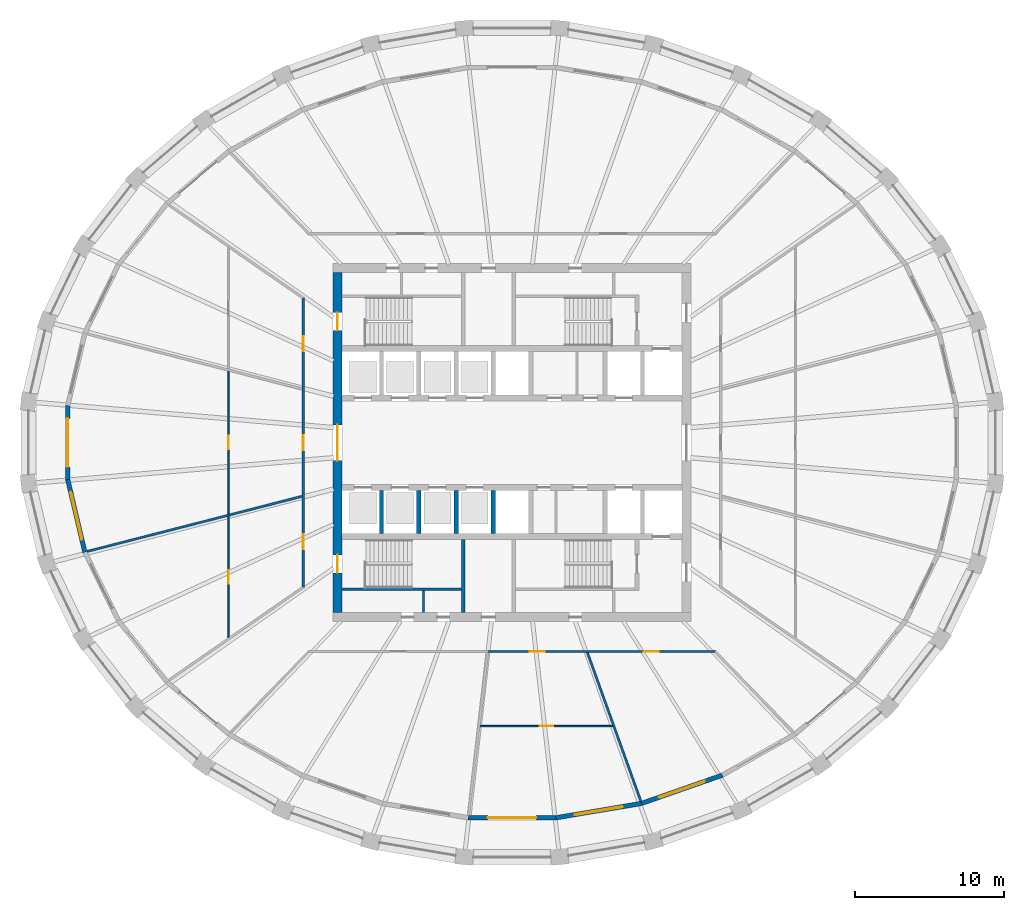
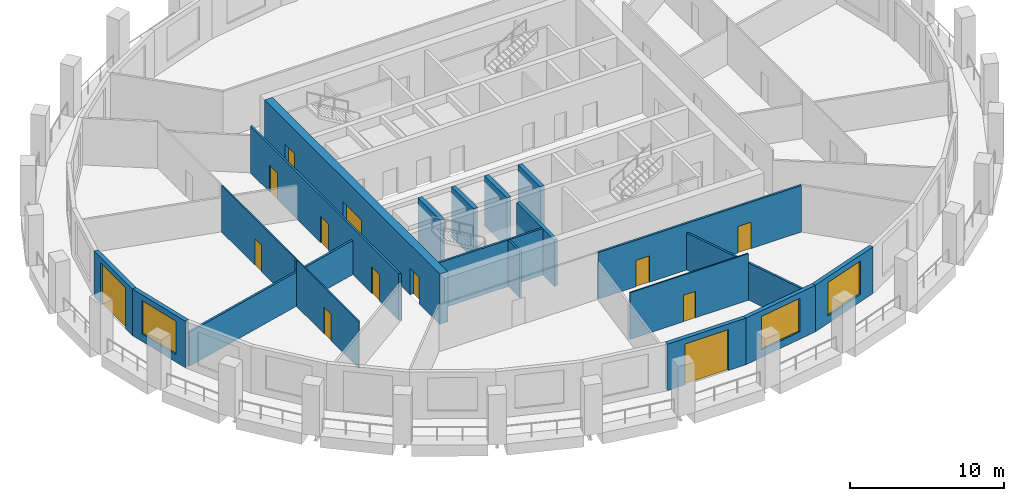
# One storey, part 3 of 10: 20 walls, 13 doors, 3 windows, 16 openings.
"""IFC4 building model written with IfcOpenShell, lengths in metres."""

from ifc_helpers import new_model, si_unit, direction, frame, frame_2d, origin, place, context, subcontext, project, spatial, polyline, rectangle, outline, extrude, material, layer, layer_set, type_object, element, fill, save


model = new_model("IFC4")

# Units and contexts
model_context = context("Model", 3, precision=1e-05, world=origin(), true_north=direction((0.0, 1.0)))
body_context = subcontext(model_context, "Body", "Model", "MODEL_VIEW")
ifc_project = project(units=[si_unit("LENGTHUNIT", "METRE"), si_unit("AREAUNIT", "SQUARE_METRE"), si_unit("VOLUMEUNIT", "CUBIC_METRE"), si_unit("PLANEANGLEUNIT", "RADIAN"), si_unit("MASSUNIT", "GRAM", prefix="KILO")], contexts=[model_context])

# Site, building, storey
site_placement = place(None, origin())
site = spatial("IfcSite", under=ifc_project, at=site_placement, CompositionType="ELEMENT")
building_placement = place(site_placement, origin())
building = spatial("IfcBuilding", under=site, at=building_placement, Name="Halqa Exchange Tower", CompositionType="ELEMENT")
storey_placement = place(building_placement, frame((0.0, 0.0, 194.89990234375)))
storey = spatial("IfcBuildingStorey", under=building, at=storey_placement, Name="L44", CompositionType="ELEMENT", Elevation=194.89990234375)

# Wall
ifc_material_1 = material(Name="Fire-rated gypsum board")
ifc_layer_1 = layer(ifc_material_1, 0.14990234375)
ifc_layer_set_1 = layer_set([ifc_layer_1], Name="Fire-rated gypsum board")
wall_type_1 = type_object("IfcWallType", Name="Fire partition EI 60 150", PredefinedType="PARTITIONING", material=ifc_layer_set_1)
wall_1_placement = place(storey_placement, frame((-28.494384765625, -7.294189453125, 0.0), z_axis=(0.0, 0.0, 1.0), x_axis=(0.96870063855, 0.248231893342, 0.0)))
element("IfcWall", 1, at=wall_1_placement, inside=storey, type_object=wall_type_1, Name="L44-PWL-001", PredefinedType="PARTITIONING", context=body_context, shape_type="SweptSolid", body=[
    extrude(outline(polyline([(0.013916015625, -0.074951171875), (1.957275390625, -0.074951171875), (3.900634765625, -0.074951171875), (5.84375, -0.074951171875), (7.787109375, -0.074951171875), (9.730224609375, -0.074951171875), (9.730712890625, -0.073486328125), (9.736083984375, -0.074951171875), (11.446044921875, -0.074951171875), (13.156005859375, -0.074951171875), (14.865966796875, -0.074951171875), (14.904296875, 0.07421875), (14.904296875, 0.074951171875), (13.226806640625, 0.074951171875), (11.54931640625, 0.074951171875), (9.8720703125, 0.074951171875), (9.87158203125, 0.073486328125), (9.8662109375, 0.074951171875), (7.892822265625, 0.074951171875), (5.919677734375, 0.074951171875), (3.946533203125, 0.074951171875), (1.97314453125, 0.074951171875), (0.0, 0.074951171875), (0.0, -0.0078125), (0.013916015625, -0.074951171875)])), origin(), (0.0, 0.0, 1.0), 2.710205078125),
])

# Wall, openings, doors
wall_2_placement = place(storey_placement, frame((-14.0, -9.729248046875, 0.0), z_axis=(0.0, 0.0, 1.0), x_axis=(0.0, 1.0, 0.0)))
wall_2 = element("IfcWall", 2, at=wall_2_placement, inside=storey, type_object=wall_type_1, Name="L44-PWL-011", PredefinedType="PARTITIONING", context=body_context, shape_type="SweptSolid", body=[
    extrude(outline(polyline([(19.45849609375, -0.074951171875), (19.45849609375, -0.074951171875), (19.3798828125, 0.074951171875), (17.44970703125, 0.074951171875), (15.519775390625, 0.074951171875), (13.589599609375, 0.074951171875), (11.659423828125, 0.074951171875), (9.729248046875, 0.074951171875), (7.799072265625, 0.074951171875), (5.868896484375, 0.074951171875), (3.938720703125, 0.074951171875), (2.008544921875, 0.074951171875), (0.07861328125, 0.074951171875), (0.0, -0.074951171875), (0.0, -0.074951171875), (1.94580078125, -0.074951171875), (3.8916015625, -0.074951171875), (5.837646484375, -0.074951171875), (7.783447265625, -0.074951171875), (9.729248046875, -0.074951171875), (11.675048828125, -0.074951171875), (13.620849609375, -0.074951171875), (15.56689453125, -0.074951171875), (17.5126953125, -0.074951171875), (19.45849609375, -0.074951171875)])), origin(), (0.0, 0.0, 1.0), 3.7001953125),
])
opening_1_placement = place(wall_2_placement, frame((15.8642578125, 0.0, 0.0)))
opening_1 = element("IfcOpeningElement", 3, at=opening_1_placement, cuts=wall_2, Name="Opening 13-03", PredefinedType="OPENING", context=body_context, shape_type="SweptSolid", body=[
    extrude(rectangle(XDim=1.0, YDim=2.10009765625, at=frame_2d((0.5, 1.050048828125))), frame((0.0, 0.0869140625, 0.0), z_axis=(0.0, -1.0, 0.0), x_axis=(1.0, 0.0, 0.0)), (0.0, 0.0, 1.0), 0.173828125),
])
opening_2_placement = place(wall_2_placement, frame((9.229248046875, 0.0, 0.0)))
opening_2 = element("IfcOpeningElement", 4, at=opening_2_placement, cuts=wall_2, Name="Opening 13-04", PredefinedType="OPENING", context=body_context, shape_type="SweptSolid", body=[
    extrude(rectangle(XDim=1.0, YDim=2.10009765625, at=frame_2d((0.5, 1.050048828125))), frame((0.0, 0.0869140625, 0.0), z_axis=(0.0, -1.0, 0.0), x_axis=(1.0, 0.0, 0.0)), (0.0, 0.0, 1.0), 0.173828125),
])
opening_3_placement = place(wall_2_placement, frame((2.59423828125, 0.0, 0.0)))
opening_3 = element("IfcOpeningElement", 5, at=opening_3_placement, cuts=wall_2, Name="Opening 13-05", PredefinedType="OPENING", context=body_context, shape_type="SweptSolid", body=[
    extrude(rectangle(XDim=1.0, YDim=2.10009765625, at=frame_2d((0.5, 1.050048828125))), frame((0.0, 0.0869140625, 0.0), z_axis=(0.0, -1.0, 0.0), x_axis=(1.0, 0.0, 0.0)), (0.0, 0.0, 1.0), 0.173828125),
])
ifc_material_2 = material(Name="Steel fire door leaf", Category="steel")
door_type_1 = type_object("IfcDoorType", Name="Fire door FD30S 1000 x 2100", OperationType="SINGLE_SWING_LEFT", PredefinedType="DOOR", material=ifc_material_2)
door_1_placement = place(opening_1_placement, origin())
door_1 = element("IfcDoor", 6, at=door_1_placement, inside=storey, type_object=door_type_1, Name="L44-IDR-003", OperationType="SINGLE_SWING_RIGHT", OverallHeight=2.10009765625, OverallWidth=1.0, PredefinedType="DOOR", context=body_context, shape_type="SweptSolid", body=[
    extrude(rectangle(XDim=1.0, YDim=2.10009765625, at=frame_2d((0.5, 1.050048828125))), frame((0.0, 0.02490234375, 0.0), z_axis=(0.0, -1.0, 0.0), x_axis=(1.0, 0.0, 0.0)), (0.0, 0.0, 1.0), 0.050048828125),
])
fill(opening_1, door_1)
door_2_placement = place(opening_2_placement, origin())
door_2 = element("IfcDoor", 7, at=door_2_placement, inside=storey, type_object=door_type_1, Name="L44-IDR-004", OperationType="SINGLE_SWING_LEFT", OverallHeight=2.10009765625, OverallWidth=1.0, PredefinedType="DOOR", context=body_context, shape_type="SweptSolid", body=[
    extrude(rectangle(XDim=1.0, YDim=2.10009765625, at=frame_2d((0.5, 1.050048828125))), frame((0.0, 0.02490234375, 0.0), z_axis=(0.0, -1.0, 0.0), x_axis=(1.0, 0.0, 0.0)), (0.0, 0.0, 1.0), 0.050048828125),
])
fill(opening_2, door_2)
door_3_placement = place(opening_3_placement, origin())
door_3 = element("IfcDoor", 8, at=door_3_placement, inside=storey, type_object=door_type_1, Name="L44-IDR-005", OperationType="SINGLE_SWING_LEFT", OverallHeight=2.10009765625, OverallWidth=1.0, PredefinedType="DOOR", context=body_context, shape_type="SweptSolid", body=[
    extrude(rectangle(XDim=1.0, YDim=2.10009765625, at=frame_2d((0.5, 1.050048828125))), frame((0.0, 0.02490234375, 0.0), z_axis=(0.0, -1.0, 0.0), x_axis=(1.0, 0.0, 0.0)), (0.0, 0.0, 1.0), 0.050048828125),
])
fill(opening_3, door_3)

wall_3_placement = place(storey_placement, frame((-1.6298828125, -14.0, 0.0), z_axis=(0.0, 0.0, 1.0), x_axis=(1.0, 0.0, 0.0)))
wall_3 = element("IfcWall", 9, at=wall_3_placement, inside=storey, type_object=wall_type_1, Name="L44-PWL-016", PredefinedType="PARTITIONING", context=body_context, shape_type="SweptSolid", body=[
    extrude(outline(polyline([(0.0, -0.074951171875), (1.90234375, -0.074951171875), (3.804443359375, -0.074951171875), (5.706787109375, -0.074951171875), (7.609130859375, -0.074951171875), (9.511474609375, -0.074951171875), (11.41357421875, -0.074951171875), (13.31591796875, -0.074951171875), (15.21826171875, -0.074951171875), (15.281494140625, 0.07470703125), (15.281494140625, 0.074951171875), (13.371337890625, 0.074951171875), (11.461181640625, 0.074951171875), (9.551025390625, 0.074951171875), (7.640625, 0.074951171875), (5.73046875, 0.074951171875), (3.8203125, 0.074951171875), (1.91015625, 0.074951171875), (0.0, 0.074951171875), (0.0, -0.074951171875)])), origin(), (0.0, 0.0, 1.0), 3.7001953125),
])
opening_4_placement = place(wall_3_placement, frame((2.830078125, 0.0, 0.0)))
opening_4 = element("IfcOpeningElement", 10, at=opening_4_placement, cuts=wall_3, Name="Opening 13-07", PredefinedType="OPENING", context=body_context, shape_type="SweptSolid", body=[
    extrude(rectangle(XDim=1.0, YDim=2.10009765625, at=frame_2d((0.5, 1.050048828125))), frame((0.0, 0.0869140625, 0.0), z_axis=(0.0, -1.0, 0.0), x_axis=(1.0, 0.0, 0.0)), (0.0, 0.0, 1.0), 0.173828125),
])
opening_5_placement = place(wall_3_placement, frame((10.455078125, 0.0, 0.0)))
opening_5 = element("IfcOpeningElement", 11, at=opening_5_placement, cuts=wall_3, Name="Opening 13-08", PredefinedType="OPENING", context=body_context, shape_type="SweptSolid", body=[
    extrude(rectangle(XDim=1.0, YDim=2.10009765625, at=frame_2d((0.5, 1.050048828125))), frame((0.0, 0.0869140625, 0.0), z_axis=(0.0, -1.0, 0.0), x_axis=(1.0, 0.0, 0.0)), (0.0, 0.0, 1.0), 0.173828125),
])
door_4_placement = place(opening_4_placement, frame((1.0, 0.0, 0.0), z_axis=(0.0, 0.0, 1.0), x_axis=(-1.0, 0.0, 0.0)))
door_4 = element("IfcDoor", 12, at=door_4_placement, inside=storey, type_object=door_type_1, Name="L44-IDR-007", OperationType="SINGLE_SWING_RIGHT", OverallHeight=2.10009765625, OverallWidth=1.0, PredefinedType="DOOR", context=body_context, shape_type="SweptSolid", body=[
    extrude(rectangle(XDim=1.0, YDim=2.10009765625, at=frame_2d((0.5, 1.050048828125))), frame((0.0, 0.02490234375, 0.0), z_axis=(0.0, -1.0, 0.0), x_axis=(1.0, 0.0, 0.0)), (0.0, 0.0, 1.0), 0.050048828125),
])
fill(opening_4, door_4)
door_5_placement = place(opening_5_placement, frame((1.0, 0.0, 0.0), z_axis=(0.0, 0.0, 1.0), x_axis=(-1.0, 0.0, 0.0)))
door_5 = element("IfcDoor", 13, at=door_5_placement, inside=storey, type_object=door_type_1, Name="L44-IDR-008", OperationType="SINGLE_SWING_LEFT", OverallHeight=2.10009765625, OverallWidth=1.0, PredefinedType="DOOR", context=body_context, shape_type="SweptSolid", body=[
    extrude(rectangle(XDim=1.0, YDim=2.10009765625, at=frame_2d((0.5, 1.050048828125))), frame((0.0, 0.02490234375, 0.0), z_axis=(0.0, -1.0, 0.0), x_axis=(1.0, 0.0, 0.0)), (0.0, 0.0, 1.0), 0.050048828125),
])
fill(opening_5, door_5)

# Wall
wall_4_placement = place(storey_placement, frame((5.0478515625, -14.0498046875, 0.0), z_axis=(0.0, 0.0, 1.0), x_axis=(0.338318960249, -0.941031498482, 0.0)))
element("IfcWall", 14, at=wall_4_placement, inside=storey, type_object=wall_type_1, Name="L44-PWL-017", PredefinedType="PARTITIONING", context=body_context, shape_type="SweptSolid", body=[
    extrude(outline(polyline([(0.0, -0.074951171875), (1.726806640625, -0.074951171875), (3.45361328125, -0.074951171875), (5.180419921875, -0.074951171875), (5.18115234375, -0.072509765625), (5.18798828125, -0.074951171875), (6.994140625, -0.074951171875), (8.80029296875, -0.074951171875), (10.6064453125, -0.074951171875), (10.62060546875, 0.003662109375), (10.620849609375, 0.032470703125), (10.620849609375, 0.074951171875), (8.859619140625, 0.074951171875), (7.098388671875, 0.074951171875), (5.33740234375, 0.074951171875), (3.576171875, 0.074951171875), (1.81494140625, 0.074951171875), (0.0537109375, 0.074951171875), (0.0, -0.074462890625), (0.0, -0.074951171875)])), origin(), (0.0, 0.0, 1.0), 2.947021484375),
])

# Wall, opening, door
ifc_material_3 = material(Name="Gypsum board")
ifc_layer_2 = layer(ifc_material_3, 0.10009765625)
ifc_layer_set_2 = layer_set([ifc_layer_2], Name="Gypsum board")
wall_type_2 = type_object("IfcWallType", Name="Partition 100 gypsum", PredefinedType="PARTITIONING", material=ifc_layer_set_2)
wall_5_placement = place(storey_placement, frame((-19.0, -13.095458984375, 0.0), z_axis=(0.0, 0.0, 1.0), x_axis=(0.0, 1.0, 0.0)))
wall_5 = element("IfcWall", 15, at=wall_5_placement, inside=storey, type_object=wall_type_2, Name="L44-PWL-005", PredefinedType="PARTITIONING", context=body_context, shape_type="SweptSolid", body=[
    extrude(outline(polyline([(8.16943359375, -0.050048828125), (8.16943359375, -0.04931640625), (8.14404296875, 0.050048828125), (6.51513671875, 0.050048828125), (4.886474609375, 0.050048828125), (3.257568359375, 0.050048828125), (1.62890625, 0.050048828125), (0.0, 0.050048828125), (0.0, 0.049072265625), (0.068603515625, -0.050048828125), (1.688720703125, -0.050048828125), (3.30908203125, -0.050048828125), (4.92919921875, -0.050048828125), (6.54931640625, -0.050048828125), (8.16943359375, -0.050048828125)])), origin(), (0.0, 0.0, 1.0), 3.7001953125),
])
opening_6_placement = place(wall_5_placement, frame((3.640380859375, 0.0, 0.0)))
opening_6 = element("IfcOpeningElement", 16, at=opening_6_placement, cuts=wall_5, Name="Opening 13-14", PredefinedType="OPENING", context=body_context, shape_type="SweptSolid", body=[
    extrude(rectangle(XDim=0.89990234375, YDim=2.10009765625, at=frame_2d((0.449951171875, 1.050048828125))), frame((0.0, 0.06201171875, 0.0), z_axis=(0.0, -1.0, 0.0), x_axis=(1.0, 0.0, 0.0)), (0.0, 0.0, 1.0), 0.1240234375),
])
ifc_material_4 = material(Name="Timber door leaf", Category="wood")
door_type_2 = type_object("IfcDoorType", Name="Door 900 x 2100", OperationType="SINGLE_SWING_LEFT", PredefinedType="DOOR", material=ifc_material_4)
door_6_placement = place(opening_6_placement, frame((0.89990234375, 0.0, 0.0), z_axis=(0.0, 0.0, 1.0), x_axis=(-1.0, 0.0, 0.0)))
door_6 = element("IfcDoor", 17, at=door_6_placement, inside=storey, type_object=door_type_2, Name="L44-IDR-014", OperationType="SINGLE_SWING_LEFT", OverallHeight=2.10009765625, OverallWidth=0.89990234375, PredefinedType="DOOR", context=body_context, shape_type="SweptSolid", body=[
    extrude(rectangle(XDim=0.89990234375, YDim=2.10009765625, at=frame_2d((0.449951171875, 1.050048828125))), frame((0.0, 0.02490234375, 0.0), z_axis=(0.0, -1.0, 0.0), x_axis=(1.0, 0.0, 0.0)), (0.0, 0.0, 1.0), 0.050048828125),
])
fill(opening_6, door_6)

wall_6_placement = place(storey_placement, frame((-19.0, -4.79638671875, 0.0), z_axis=(0.0, 0.0, 1.0), x_axis=(0.0, 1.0, 0.0)))
wall_6 = element("IfcWall", 18, at=wall_6_placement, inside=storey, type_object=wall_type_2, Name="L44-PWL-006", PredefinedType="PARTITIONING", context=body_context, shape_type="SweptSolid", body=[
    extrude(outline(polyline([(0.025390625, -0.050048828125), (1.933837890625, -0.050048828125), (3.84228515625, -0.050048828125), (5.75048828125, -0.050048828125), (7.658935546875, -0.050048828125), (9.5673828125, -0.050048828125), (9.5927734375, 0.049072265625), (9.5927734375, 0.050048828125), (7.67431640625, 0.050048828125), (5.755615234375, 0.050048828125), (3.837158203125, 0.050048828125), (1.91845703125, 0.050048828125), (0.0, 0.050048828125), (0.0, 0.049072265625), (0.025390625, -0.050048828125)])), origin(), (0.0, 0.0, 1.0), 3.7001953125),
])
opening_7_placement = place(wall_6_placement, frame((4.346435546875, 0.0, 0.0)))
opening_7 = element("IfcOpeningElement", 19, at=opening_7_placement, cuts=wall_6, Name="Opening 13-13", PredefinedType="OPENING", context=body_context, shape_type="SweptSolid", body=[
    extrude(rectangle(XDim=0.89990234375, YDim=2.10009765625, at=frame_2d((0.449951171875, 1.050048828125))), frame((0.0, 0.06201171875, 0.0), z_axis=(0.0, -1.0, 0.0), x_axis=(1.0, 0.0, 0.0)), (0.0, 0.0, 1.0), 0.1240234375),
])
door_7_placement = place(opening_7_placement, frame((0.89990234375, 0.0, 0.0), z_axis=(0.0, 0.0, 1.0), x_axis=(-1.0, 0.0, 0.0)))
door_7 = element("IfcDoor", 20, at=door_7_placement, inside=storey, type_object=door_type_2, Name="L44-IDR-013", OperationType="SINGLE_SWING_RIGHT", OverallHeight=2.10009765625, OverallWidth=0.89990234375, PredefinedType="DOOR", context=body_context, shape_type="SweptSolid", body=[
    extrude(rectangle(XDim=0.89990234375, YDim=2.10009765625, at=frame_2d((0.449951171875, 1.050048828125))), frame((0.0, 0.02490234375, 0.0), z_axis=(0.0, -1.0, 0.0), x_axis=(1.0, 0.0, 0.0)), (0.0, 0.0, 1.0), 0.050048828125),
])
fill(opening_7, door_7)

wall_7_placement = place(storey_placement, frame((6.765380859375, -19.0, 0.0), z_axis=(0.0, 0.0, 1.0), x_axis=(-1.0, 0.0, 0.0)))
wall_7 = element("IfcWall", 21, at=wall_7_placement, inside=storey, type_object=wall_type_2, Name="L44-PWL-018", PredefinedType="PARTITIONING", context=body_context, shape_type="SweptSolid", body=[
    extrude(outline(polyline([(0.035400390625, -0.050048828125), (1.80712890625, -0.050048828125), (3.578857421875, -0.050048828125), (5.3505859375, -0.050048828125), (7.122314453125, -0.050048828125), (8.89404296875, -0.050048828125), (8.9052734375, 0.046142578125), (8.9052734375, 0.050048828125), (7.124267578125, 0.050048828125), (5.34326171875, 0.050048828125), (3.56201171875, 0.050048828125), (1.781005859375, 0.050048828125), (0.0, 0.050048828125), (0.0, 0.048828125), (0.035400390625, -0.050048828125)])), origin(), (0.0, 0.0, 1.0), 3.7001953125),
])
opening_8_placement = place(wall_7_placement, frame((4.005615234375, 0.0, 0.0)))
opening_8 = element("IfcOpeningElement", 22, at=opening_8_placement, cuts=wall_7, Name="Opening 13-15", PredefinedType="OPENING", context=body_context, shape_type="SweptSolid", body=[
    extrude(rectangle(XDim=0.89990234375, YDim=2.10009765625, at=frame_2d((0.449951171875, 1.050048828125))), frame((0.0, 0.06201171875, 0.0), z_axis=(0.0, -1.0, 0.0), x_axis=(1.0, 0.0, 0.0)), (0.0, 0.0, 1.0), 0.1240234375),
])
door_8_placement = place(opening_8_placement, frame((0.89990234375, 0.0, 0.0), z_axis=(0.0, 0.0, 1.0), x_axis=(-1.0, 0.0, 0.0)))
door_8 = element("IfcDoor", 23, at=door_8_placement, inside=storey, type_object=door_type_2, Name="L44-IDR-015", OperationType="SINGLE_SWING_LEFT", OverallHeight=2.10009765625, OverallWidth=0.89990234375, PredefinedType="DOOR", context=body_context, shape_type="SweptSolid", body=[
    extrude(rectangle(XDim=0.89990234375, YDim=2.10009765625, at=frame_2d((0.449951171875, 1.050048828125))), frame((0.0, 0.02490234375, 0.0), z_axis=(0.0, -1.0, 0.0), x_axis=(1.0, 0.0, 0.0)), (0.0, 0.0, 1.0), 0.050048828125),
])
fill(opening_8, door_8)

# Walls
ifc_layer_3 = layer(ifc_material_3, 0.14990234375)
ifc_layer_set_3 = layer_set([ifc_layer_3], Name="Gypsum board")
wall_type_3 = type_object("IfcWallType", Name="Penthouse riser wall 150 gypsum", PredefinedType="PARTITIONING", material=ifc_layer_set_3)
wall_8_placement = place(storey_placement, frame((-5.925048828125, -11.39990234375, 0.0), z_axis=(0.0, 0.0, 1.0), x_axis=(0.0, 1.0, 0.0)))
element("IfcWall", 24, at=wall_8_placement, inside=storey, type_object=wall_type_3, Name="Partition W5.925 S", PredefinedType="PARTITIONING", context=body_context, shape_type="SweptSolid", body=[
    extrude(rectangle(XDim=1.5, YDim=0.14990234375, at=frame_2d((0.75, 0.0))), origin(), (0.0, 0.0, 1.0), 3.7001953125),
])
ifc_material_5 = material(Name="Concrete C60/75", Category="concrete")
ifc_layer_4 = layer(ifc_material_5, 0.300048828125)
ifc_layer_set_4 = layer_set([ifc_layer_4], Name="Concrete C60/75")
wall_type_4 = type_object("IfcWallType", Name="RC core wall 300", PredefinedType="SHEAR", material=ifc_layer_set_4)
for number, where, z_axis, x_axis, name in (
    (25, (-8.75, -6.10009765625, 0.0), (0.0, 0.0, 1.0), (0.0, 1.0, 0.0), "Shaft divider S1"),
    (26, (-6.25, -6.10009765625, 0.0), (0.0, 0.0, 1.0), (0.0, 1.0, 0.0), "Shaft divider S2"),
    (27, (-3.75, -6.10009765625, 0.0), (0.0, 0.0, 1.0), (0.0, 1.0, 0.0), "Shaft divider S3"),
    (28, (-1.25, -6.10009765625, 0.0), (0.0, 0.0, 1.0), (0.0, 1.0, 0.0), "Shaft divider S4"),
):
    element("IfcWall", number, at=place(storey_placement, frame(where, z_axis=z_axis, x_axis=x_axis)), inside=storey, type_object=wall_type_4, Name=name, PredefinedType="SHEAR", context=body_context, shape_type="SweptSolid", body=[
        extrude(rectangle(XDim=2.900146484375, YDim=0.300048828125, at=frame_2d((1.4501953125, 0.0))), origin(), (0.0, 0.0, 1.0), 4.0),
    ])

# Wall, openings, doors
ifc_material_6 = material(Name="Concrete C70/85", Category="concrete")
ifc_layer_5 = layer(ifc_material_6, 0.60009765625)
ifc_layer_set_5 = layer_set([ifc_layer_5], Name="Concrete C70/85")
wall_type_5 = type_object("IfcWallType", Name="RC core wall 600 C70/85", PredefinedType="SHEAR", material=ifc_layer_set_5)
wall_9_placement = place(storey_placement, frame((-11.699951171875, -11.39990234375, 0.0), z_axis=(0.0, 0.0, 1.0), x_axis=(0.0, 1.0, 0.0)))
wall_9 = element("IfcWall", 29, at=wall_9_placement, inside=storey, type_object=wall_type_5, Name="Core wall west", PredefinedType="SHEAR", context=body_context, shape_type="SweptSolid", body=[
    extrude(rectangle(XDim=22.7998046875, YDim=0.60009765625, at=frame_2d((11.39990234375, 0.0))), origin(), (0.0, 0.0, 1.0), 4.0),
])
opening_9_placement = place(wall_9_placement, frame((10.199951171875, 0.0, 0.0)))
opening_9 = element("IfcOpeningElement", 30, at=opening_9_placement, cuts=wall_9, Name="Opening T13-C13", PredefinedType="OPENING", context=body_context, shape_type="SweptSolid", body=[
    extrude(rectangle(XDim=2.39990234375, YDim=2.10009765625, at=frame_2d((1.199951171875, 1.050048828125))), frame((0.0, 0.31201171875, 0.0), z_axis=(0.0, -1.0, 0.0), x_axis=(1.0, 0.0, 0.0)), (0.0, 0.0, 1.0), 0.6240234375),
])
opening_10_placement = place(wall_9_placement, frame((18.925048828125, 0.0, 0.0)))
opening_10 = element("IfcOpeningElement", 31, at=opening_10_placement, cuts=wall_9, Name="Opening T13-C15", PredefinedType="OPENING", context=body_context, shape_type="SweptSolid", body=[
    extrude(rectangle(XDim=1.199951171875, YDim=2.10009765625, at=frame_2d((0.60009765625, 1.050048828125))), frame((0.0, 0.31201171875, 0.0), z_axis=(0.0, -1.0, 0.0), x_axis=(1.0, 0.0, 0.0)), (0.0, 0.0, 1.0), 0.6240234375),
])
opening_11_placement = place(wall_9_placement, frame((2.675048828125, 0.0, 0.0)))
opening_11 = element("IfcOpeningElement", 32, at=opening_11_placement, cuts=wall_9, Name="Opening T13-C17", PredefinedType="OPENING", context=body_context, shape_type="SweptSolid", body=[
    extrude(rectangle(XDim=1.199951171875, YDim=2.10009765625, at=frame_2d((0.60009765625, 1.050048828125))), frame((0.0, 0.31201171875, 0.0), z_axis=(0.0, -1.0, 0.0), x_axis=(1.0, 0.0, 0.0)), (0.0, 0.0, 1.0), 0.6240234375),
])
door_type_3 = type_object("IfcDoorType", Name="Lobby double door FD60 2400 x 2100", OperationType="DOUBLE_DOOR_SINGLE_SWING", PredefinedType="DOOR", material=ifc_material_2)
door_9_placement = place(opening_9_placement, frame((2.39990234375, 0.0, 0.0), z_axis=(0.0, 0.0, 1.0), x_axis=(-1.0, 0.0, 0.0)))
door_9 = element("IfcDoor", 33, at=door_9_placement, inside=storey, type_object=door_type_3, Name="Lift lobby double door", OperationType="DOUBLE_DOOR_SINGLE_SWING", OverallHeight=2.10009765625, OverallWidth=2.39990234375, PredefinedType="DOOR", context=body_context, shape_type="SweptSolid", body=[
    extrude(rectangle(XDim=2.39990234375, YDim=2.10009765625, at=frame_2d((1.199951171875, 1.050048828125))), frame((0.0, 0.02490234375, 0.0), z_axis=(0.0, -1.0, 0.0), x_axis=(1.0, 0.0, 0.0)), (0.0, 0.0, 1.0), 0.050048828125),
])
fill(opening_9, door_9)
door_type_4 = type_object("IfcDoorType", Name="Stair door FD90 1200 x 2100", OperationType="SINGLE_SWING_LEFT", PredefinedType="DOOR", material=ifc_material_2)
door_10_placement = place(opening_10_placement, frame((1.199951171875, 0.0, 0.0), z_axis=(0.0, 0.0, 1.0), x_axis=(-1.0, 0.0, 0.0)))
door_10 = element("IfcDoor", 34, at=door_10_placement, inside=storey, type_object=door_type_4, Name="Stair door ST1", OperationType="SINGLE_SWING_RIGHT", OverallHeight=2.10009765625, OverallWidth=1.199951171875, PredefinedType="DOOR", context=body_context, shape_type="SweptSolid", body=[
    extrude(rectangle(XDim=1.199951171875, YDim=2.10009765625, at=frame_2d((0.60009765625, 1.050048828125))), frame((0.0, 0.02490234375, 0.0), z_axis=(0.0, -1.0, 0.0), x_axis=(1.0, 0.0, 0.0)), (0.0, 0.0, 1.0), 0.050048828125),
])
fill(opening_10, door_10)
door_11_placement = place(opening_11_placement, frame((1.199951171875, 0.0, 0.0), z_axis=(0.0, 0.0, 1.0), x_axis=(-1.0, 0.0, 0.0)))
door_11 = element("IfcDoor", 35, at=door_11_placement, inside=storey, type_object=door_type_4, Name="Stair door ST3", OperationType="SINGLE_SWING_RIGHT", OverallHeight=2.10009765625, OverallWidth=1.199951171875, PredefinedType="DOOR", context=body_context, shape_type="SweptSolid", body=[
    extrude(rectangle(XDim=1.199951171875, YDim=2.10009765625, at=frame_2d((0.60009765625, 1.050048828125))), frame((0.0, 0.02490234375, 0.0), z_axis=(0.0, -1.0, 0.0), x_axis=(1.0, 0.0, 0.0)), (0.0, 0.0, 1.0), 0.050048828125),
])
fill(opening_11, door_11)

# Walls
ifc_material_7 = material(Name="Concrete C30/37", Category="concrete")
ifc_layer_6 = layer(ifc_material_7, 0.14990234375)
ifc_layer_set_6 = layer_set([ifc_layer_6], Name="Concrete C30/37")
wall_type_6 = type_object("IfcWallType", Name="RC stair wall 150 C30/37", PredefinedType="SHEAR", material=ifc_layer_set_6)
wall_10_placement = place(storey_placement, frame((-11.39990234375, -9.824951171875, 0.0), z_axis=(0.0, 0.0, 1.0), x_axis=(1.0, 0.0, 0.0)))
element("IfcWall", 36, at=wall_10_placement, inside=storey, type_object=wall_type_6, Name="Stair ST1 north wall S", PredefinedType="SHEAR", context=body_context, shape_type="SweptSolid", body=[
    extrude(rectangle(XDim=8.0, YDim=0.14990234375, at=frame_2d((4.0, 0.0))), origin(), (0.0, 0.0, 1.0), 3.7001953125),
])
ifc_layer_7 = layer(ifc_material_7, 0.25)
ifc_layer_set_7 = layer_set([ifc_layer_7], Name="Concrete C30/37")
wall_type_7 = type_object("IfcWallType", Name="RC stair wall 250 C30/37", PredefinedType="SHEAR", material=ifc_layer_set_7)
wall_11_placement = place(storey_placement, frame((-3.27490234375, -11.39990234375, 0.0), z_axis=(0.0, 0.0, 1.0), x_axis=(0.0, 1.0, 0.0)))
element("IfcWall", 37, at=wall_11_placement, inside=storey, type_object=wall_type_7, Name="Stair ST1 east wall S", PredefinedType="SHEAR", context=body_context, shape_type="SweptSolid", body=[
    extrude(rectangle(XDim=4.89990234375, YDim=0.25, at=frame_2d((2.449951171875, 0.0))), origin(), (0.0, 0.0, 1.0), 3.7001953125),
])

# Wall, opening, door
ifc_material_8 = material(Name="Limestone cladding", Category="masonry")
ifc_layer_8 = layer(ifc_material_8, 0.0400390625)
ifc_material_9 = material(Name="Ventilated cavity")
ifc_layer_9 = layer(ifc_material_9, 0.030029296875, ventilated=True)
ifc_material_10 = material(Name="Mineral wool insulation")
ifc_layer_10 = layer(ifc_material_10, 0.10009765625)
ifc_layer_11 = layer(ifc_material_7, 0.10009765625)
ifc_material_11 = material(Name="Internal plaster")
ifc_layer_12 = layer(ifc_material_11, 0.030029296875)
ifc_layer_set_8 = layer_set([ifc_layer_8, ifc_layer_9, ifc_layer_10, ifc_layer_11, ifc_layer_12], Name="Stone-faced insulated wall 300")
wall_type_8 = type_object("IfcWallType", Name="Stone-faced insulated wall 300", PredefinedType="STANDARD", material=ifc_layer_set_8)
wall_12_placement = place(storey_placement, frame((-29.785400390625, 2.47998046875, 0.0), z_axis=(0.0, 0.0, 1.0), x_axis=(0.0, -1.0, 0.0)))
wall_12 = element("IfcWall", 38, at=wall_12_placement, inside=storey, type_object=wall_type_8, Name="Glass-line wall 16", PredefinedType="STANDARD", context=body_context, shape_type="SweptSolid", body=[
    extrude(outline(polyline([(-0.017333984375, -0.14990234375), (4.977294921875, -0.14990234375), (4.942626953125, 0.14990234375), (0.017333984375, 0.14990234375), (-0.017333984375, -0.14990234375)])), origin(), (0.0, 0.0, 1.0), 3.7001953125),
])
opening_12_placement = place(wall_12_placement, frame((0.85498046875, 0.0, 0.0)))
opening_12 = element("IfcOpeningElement", 39, at=opening_12_placement, cuts=wall_12, Name="Opening LG-F3-04", PredefinedType="OPENING", context=body_context, shape_type="SweptSolid", body=[
    extrude(rectangle(XDim=3.25, YDim=3.25, at=frame_2d((1.625, 1.625))), frame((0.0, 0.162109375, 0.0), z_axis=(0.0, -1.0, 0.0), x_axis=(1.0, 0.0, 0.0)), (0.0, 0.0, 1.0), 0.323974609375),
])
ifc_material_12 = material(Name="Clear low-emissivity glass in aluminium frame", Category="aluminium")
door_type_5 = type_object("IfcDoorType", Name="Glazed sliding loggia door 3250 x 3250", OperationType="DOUBLE_DOOR_SLIDING", PredefinedType="DOOR", material=ifc_material_12)
door_12_placement = place(opening_12_placement, origin())
door_12 = element("IfcDoor", 40, at=door_12_placement, inside=storey, type_object=door_type_5, Name="Loggia door 4", OperationType="DOUBLE_DOOR_SLIDING", OverallHeight=3.25, OverallWidth=3.25, PredefinedType="DOOR", context=body_context, shape_type="SweptSolid", body=[
    extrude(rectangle(XDim=3.25, YDim=3.25, at=frame_2d((1.625, 1.625))), frame((0.0, 0.02490234375, 0.0), z_axis=(0.0, -1.0, 0.0), x_axis=(1.0, 0.0, 0.0)), (0.0, 0.0, 1.0), 0.050048828125),
])
fill(opening_12, door_12)

# Wall, opening, window
wall_13_placement = place(storey_placement, frame((-29.785400390625, -2.47998046875, 0.0), z_axis=(0.0, 0.0, 1.0), x_axis=(0.229455912692, -0.97331905567, 0.0)))
wall_13 = element("IfcWall", 41, at=wall_13_placement, inside=storey, type_object=wall_type_8, Name="Glass-line wall 17", PredefinedType="STANDARD", context=body_context, shape_type="SweptSolid", body=[
    extrude(outline(polyline([(-0.017333984375, -0.14990234375), (5.014404296875, -0.14990234375), (4.980712890625, 0.14990234375), (0.017333984375, 0.14990234375), (-0.017333984375, -0.14990234375)])), origin(), (0.0, 0.0, 1.0), 3.7001953125),
])
opening_13_placement = place(wall_13_placement, frame((0.873779296875, 0.0, 0.60009765625)))
opening_13 = element("IfcOpeningElement", 42, at=opening_13_placement, cuts=wall_13, Name="Opening W-F3-17", PredefinedType="OPENING", context=body_context, shape_type="SweptSolid", body=[
    extrude(rectangle(XDim=3.25, YDim=2.64990234375, at=frame_2d((1.625, 1.324951171875))), frame((0.0, 0.162109375, 0.0), z_axis=(0.0, -1.0, 0.0), x_axis=(1.0, 0.0, 0.0)), (0.0, 0.0, 1.0), 0.323974609375),
])
window_type = type_object("IfcWindowType", Name="Fixed clear glazed window 3250 x 2650", PartitioningType="TRIPLE_PANEL_VERTICAL", PredefinedType="WINDOW", material=ifc_material_12)
window_1_placement = place(opening_13_placement, origin())
window_1 = element("IfcWindow", 43, at=window_1_placement, inside=storey, type_object=window_type, Name="Window 3", OverallHeight=2.64990234375, OverallWidth=3.25, PartitioningType="TRIPLE_PANEL_VERTICAL", PredefinedType="WINDOW", context=body_context, shape_type="SweptSolid", body=[
    extrude(rectangle(XDim=3.25, YDim=2.64990234375, at=frame_2d((1.625, 1.324951171875))), frame((0.0, 0.030029296875, 0.0), z_axis=(0.0, -1.0, 0.0), x_axis=(1.0, 0.0, 0.0)), (0.0, 0.0, 1.0), 0.06005859375),
])
fill(opening_13, window_1)

# Wall, opening, door
wall_14_placement = place(storey_placement, frame((-2.931396484375, -25.15380859375, 0.0), z_axis=(0.0, 0.0, 1.0), x_axis=(1.0, 0.0, 0.0)))
wall_14 = element("IfcWall", 44, at=wall_14_placement, inside=storey, type_object=wall_type_8, Name="Glass-line wall 24", PredefinedType="STANDARD", context=body_context, shape_type="SweptSolid", body=[
    extrude(outline(polyline([(-0.012451171875, -0.14990234375), (5.875244140625, -0.14990234375), (5.850341796875, 0.14990234375), (0.012451171875, 0.14990234375), (-0.012451171875, -0.14990234375)])), origin(), (0.0, 0.0, 1.0), 3.7001953125),
])
opening_14_placement = place(wall_14_placement, frame((1.306396484375, 0.0, 0.0)))
opening_14 = element("IfcOpeningElement", 45, at=opening_14_placement, cuts=wall_14, Name="Opening LG-F3-06", PredefinedType="OPENING", context=body_context, shape_type="SweptSolid", body=[
    extrude(rectangle(XDim=3.25, YDim=3.25, at=frame_2d((1.625, 1.625))), frame((0.0, 0.162109375, 0.0), z_axis=(0.0, -1.0, 0.0), x_axis=(1.0, 0.0, 0.0)), (0.0, 0.0, 1.0), 0.323974609375),
])
door_13_placement = place(opening_14_placement, origin())
door_13 = element("IfcDoor", 46, at=door_13_placement, inside=storey, type_object=door_type_5, Name="Loggia door 6", OperationType="DOUBLE_DOOR_SLIDING", OverallHeight=3.25, OverallWidth=3.25, PredefinedType="DOOR", context=body_context, shape_type="SweptSolid", body=[
    extrude(rectangle(XDim=3.25, YDim=3.25, at=frame_2d((1.625, 1.625))), frame((0.0, 0.02490234375, 0.0), z_axis=(0.0, -1.0, 0.0), x_axis=(1.0, 0.0, 0.0)), (0.0, 0.0, 1.0), 0.050048828125),
])
fill(opening_14, door_13)

# Wall, opening, window
wall_15_placement = place(storey_placement, frame((2.931396484375, -25.15380859375, 0.0), z_axis=(0.0, 0.0, 1.0), x_axis=(0.986207709048, 0.165512400181, 0.0)))
wall_15 = element("IfcWall", 47, at=wall_15_placement, inside=storey, type_object=wall_type_8, Name="Glass-line wall 25", PredefinedType="STANDARD", context=body_context, shape_type="SweptSolid", body=[
    extrude(outline(polyline([(-0.012451171875, -0.14990234375), (5.843505859375, -0.14990234375), (5.818115234375, 0.14990234375), (0.012451171875, 0.14990234375), (-0.012451171875, -0.14990234375)])), origin(), (0.0, 0.0, 1.0), 3.7001953125),
])
opening_15_placement = place(wall_15_placement, frame((1.29052734375, 0.0, 0.60009765625)))
opening_15 = element("IfcOpeningElement", 48, at=opening_15_placement, cuts=wall_15, Name="Opening W-F3-25", PredefinedType="OPENING", context=body_context, shape_type="SweptSolid", body=[
    extrude(rectangle(XDim=3.25, YDim=2.64990234375, at=frame_2d((1.625, 1.324951171875))), frame((0.0, 0.162109375, 0.0), z_axis=(0.0, -1.0, 0.0), x_axis=(1.0, 0.0, 0.0)), (0.0, 0.0, 1.0), 0.323974609375),
])
window_2_placement = place(opening_15_placement, origin())
window_2 = element("IfcWindow", 49, at=window_2_placement, inside=storey, type_object=window_type, Name="Window 3", OverallHeight=2.64990234375, OverallWidth=3.25, PartitioningType="TRIPLE_PANEL_VERTICAL", PredefinedType="WINDOW", context=body_context, shape_type="SweptSolid", body=[
    extrude(rectangle(XDim=3.25, YDim=2.64990234375, at=frame_2d((1.625, 1.324951171875))), frame((0.0, 0.030029296875, 0.0), z_axis=(0.0, -1.0, 0.0), x_axis=(1.0, 0.0, 0.0)), (0.0, 0.0, 1.0), 0.06005859375),
])
fill(opening_15, window_2)

wall_16_placement = place(storey_placement, frame((8.681884765625, -24.188720703125, 0.0), z_axis=(0.0, 0.0, 1.0), x_axis=(0.944020060936, 0.329888048511, 0.0)))
wall_16 = element("IfcWall", 50, at=wall_16_placement, inside=storey, type_object=wall_type_8, Name="Glass-line wall 26", PredefinedType="STANDARD", context=body_context, shape_type="SweptSolid", body=[
    extrude(outline(polyline([(-0.0126953125, -0.14990234375), (5.752685546875, -0.14990234375), (5.725830078125, 0.14990234375), (0.0126953125, 0.14990234375), (-0.0126953125, -0.14990234375)])), origin(), (0.0, 0.0, 1.0), 3.7001953125),
])
opening_16_placement = place(wall_16_placement, frame((1.24462890625, 0.0, 0.60009765625)))
opening_16 = element("IfcOpeningElement", 51, at=opening_16_placement, cuts=wall_16, Name="Opening W-F3-26", PredefinedType="OPENING", context=body_context, shape_type="SweptSolid", body=[
    extrude(rectangle(XDim=3.25, YDim=2.64990234375, at=frame_2d((1.625, 1.324951171875))), frame((0.0, 0.162109375, 0.0), z_axis=(0.0, -1.0, 0.0), x_axis=(1.0, 0.0, 0.0)), (0.0, 0.0, 1.0), 0.323974609375),
])
window_3_placement = place(opening_16_placement, origin())
window_3 = element("IfcWindow", 52, at=window_3_placement, inside=storey, type_object=window_type, Name="Window 3", OverallHeight=2.64990234375, OverallWidth=3.25, PartitioningType="TRIPLE_PANEL_VERTICAL", PredefinedType="WINDOW", context=body_context, shape_type="SweptSolid", body=[
    extrude(rectangle(XDim=3.25, YDim=2.64990234375, at=frame_2d((1.625, 1.324951171875))), frame((0.0, 0.030029296875, 0.0), z_axis=(0.0, -1.0, 0.0), x_axis=(1.0, 0.0, 0.0)), (0.0, 0.0, 1.0), 0.06005859375),
])
fill(opening_16, window_3)

save(model, "model.ifc")
